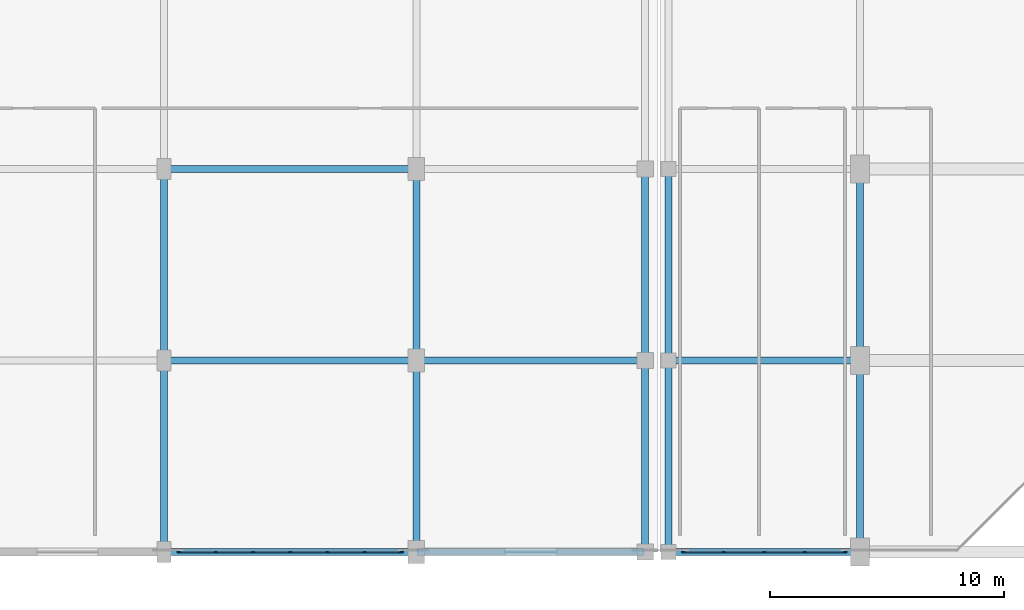
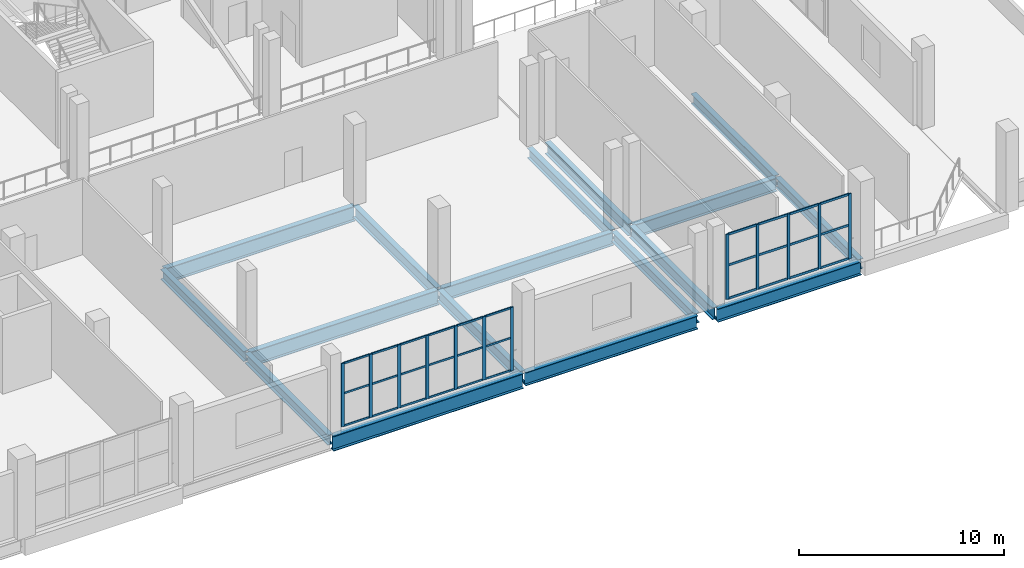
# One storey, part 47 of 142: 42 members, 17 beams, 2 elements without a shape of their own.
"""IFC4 building model written with IfcOpenShell, lengths in metres."""

from ifc_helpers import new_model, si_unit, direction, frame, origin, origin_2d, place, context, subcontext, project, spatial, rectangle, i_section, extrude, material, material_profile, profile_set, type_object, element, aggregate, save


model = new_model("IFC4")

# Units and contexts
model_context = context("Model", 3, precision=1e-05, world=origin(), true_north=direction((0.0, 1.0)))
body_context = subcontext(model_context, "Body", "Model", "MODEL_VIEW")
ifc_project = project(units=[si_unit("LENGTHUNIT", "METRE"), si_unit("AREAUNIT", "SQUARE_METRE"), si_unit("VOLUMEUNIT", "CUBIC_METRE"), si_unit("PLANEANGLEUNIT", "RADIAN"), si_unit("MASSUNIT", "GRAM", prefix="KILO")], contexts=[model_context])

# Site, building, storey
site_placement = place(None, origin())
site = spatial("IfcSite", under=ifc_project, at=site_placement, CompositionType="ELEMENT")
building_placement = place(site_placement, origin())
building = spatial("IfcBuilding", under=site, at=building_placement, Name="Koshinbarg Plaza Stadium", CompositionType="ELEMENT")
storey_placement = place(building_placement, frame((0.0, 0.0, 10.199951171875)))
storey = spatial("IfcBuildingStorey", under=building, at=storey_placement, Name="L02", CompositionType="ELEMENT", Elevation=10.199951171875)

# Beams
ifc_material_1 = material(Name="Steel S355", Category="steel")
ifc_material_profile_1 = material_profile(ifc_material_1, i_section(OverallWidth=0.300048828125, OverallDepth=0.60009765625, WebThickness=0.015380859375, FlangeThickness=0.030029296875, at=origin_2d()), Name="HEB 600")
ifc_profile_set_1 = profile_set([ifc_material_profile_1], Name="Steel S355")
beam_type_1 = type_object("IfcBeamType", Name="BM-SGIR-02", PredefinedType="USERDEFINED", material=ifc_profile_set_1)
beam_1_placement = place(storey_placement, frame((197.800048828125, 0.06005859375, -0.599853515625), z_axis=(0.0, 1.0, 0.0), x_axis=(-1.0, 0.0, 0.0)))
element("IfcBeam", 1, at=beam_1_placement, inside=storey, type_object=beam_type_1, Name="L02 Y girder 19/A-B", ObjectType="GIRDER", PredefinedType="USERDEFINED", context=body_context, shape_type="SweptSolid", body=[
    extrude(i_section(OverallWidth=0.300048828125, OverallDepth=0.60009765625, WebThickness=0.015380859375, FlangeThickness=0.030029296875, at=origin_2d()), origin(), (0.0, 0.0, 1.0), 8.079833984375),
])
beam_2_placement = place(storey_placement, frame((197.800048828125, 8.260009765625, -0.599853515625), z_axis=(0.0, 1.0, 0.0), x_axis=(-1.0, 0.0, 0.0)))
element("IfcBeam", 2, at=beam_2_placement, inside=storey, type_object=beam_type_1, Name="L02 Y girder 19/B-C", ObjectType="GIRDER", PredefinedType="USERDEFINED", context=body_context, shape_type="SweptSolid", body=[
    extrude(i_section(OverallWidth=0.300048828125, OverallDepth=0.60009765625, WebThickness=0.015380859375, FlangeThickness=0.030029296875, at=origin_2d()), origin(), (0.0, 0.0, 1.0), 8.080078125),
])
beam_3_placement = place(storey_placement, frame((218.39990234375, 0.06005859375, -0.599853515625), z_axis=(0.0, 1.0, 0.0), x_axis=(-1.0, 0.0, 0.0)))
element("IfcBeam", 3, at=beam_3_placement, inside=storey, type_object=beam_type_1, Name="L02 Y girder 21/A-B", ObjectType="GIRDER", PredefinedType="USERDEFINED", context=body_context, shape_type="SweptSolid", body=[
    extrude(i_section(OverallWidth=0.300048828125, OverallDepth=0.60009765625, WebThickness=0.015380859375, FlangeThickness=0.030029296875, at=origin_2d()), origin(), (0.0, 0.0, 1.0), 8.079833984375),
])
beam_4_placement = place(storey_placement, frame((218.39990234375, 8.260009765625, -0.599853515625), z_axis=(0.0, 1.0, 0.0), x_axis=(-1.0, 0.0, 0.0)))
element("IfcBeam", 4, at=beam_4_placement, inside=storey, type_object=beam_type_1, Name="L02 Y girder 21/B-C", ObjectType="GIRDER", PredefinedType="USERDEFINED", context=body_context, shape_type="SweptSolid", body=[
    extrude(i_section(OverallWidth=0.300048828125, OverallDepth=0.60009765625, WebThickness=0.015380859375, FlangeThickness=0.030029296875, at=origin_2d()), origin(), (0.0, 0.0, 1.0), 8.080078125),
])
beam_5_placement = place(storey_placement, frame((227.60009765625, 0.06005859375, -0.599853515625), z_axis=(0.0, 1.0, 0.0), x_axis=(-1.0, 0.0, 0.0)))
element("IfcBeam", 5, at=beam_5_placement, inside=storey, type_object=beam_type_1, Name="L02 Y girder 23/A-B", ObjectType="GIRDER", PredefinedType="USERDEFINED", context=body_context, shape_type="SweptSolid", body=[
    extrude(i_section(OverallWidth=0.300048828125, OverallDepth=0.60009765625, WebThickness=0.015380859375, FlangeThickness=0.030029296875, at=origin_2d()), origin(), (0.0, 0.0, 1.0), 8.079833984375),
])
beam_6_placement = place(storey_placement, frame((227.60009765625, 8.260009765625, -0.599853515625), z_axis=(0.0, 1.0, 0.0), x_axis=(-1.0, 0.0, 0.0)))
element("IfcBeam", 6, at=beam_6_placement, inside=storey, type_object=beam_type_1, Name="L02 Y girder 23/B-C", ObjectType="GIRDER", PredefinedType="USERDEFINED", context=body_context, shape_type="SweptSolid", body=[
    extrude(i_section(OverallWidth=0.300048828125, OverallDepth=0.60009765625, WebThickness=0.015380859375, FlangeThickness=0.030029296875, at=origin_2d()), origin(), (0.0, 0.0, 1.0), 8.080078125),
])
ifc_material_profile_2 = material_profile(ifc_material_1, i_section(OverallWidth=0.300048828125, OverallDepth=0.699951171875, WebThickness=0.01708984375, FlangeThickness=0.031982421875, at=origin_2d()), Name="HEB 700")
ifc_profile_set_2 = profile_set([ifc_material_profile_2], Name="Steel S355")
beam_type_2 = type_object("IfcBeamType", Name="BM-SGIR-03", PredefinedType="USERDEFINED", material=ifc_profile_set_2)
beam_7_placement = place(storey_placement, frame((208.60009765625, 0.06005859375, -0.64990234375), z_axis=(0.0, 1.0, 0.0), x_axis=(-1.0, 0.0, 0.0)))
element("IfcBeam", 7, at=beam_7_placement, inside=storey, type_object=beam_type_2, Name="L02 Y girder 20/A-B", ObjectType="GIRDER", PredefinedType="USERDEFINED", context=body_context, shape_type="SweptSolid", body=[
    extrude(i_section(OverallWidth=0.300048828125, OverallDepth=0.699951171875, WebThickness=0.01708984375, FlangeThickness=0.031982421875, at=origin_2d()), origin(), (0.0, 0.0, 1.0), 8.079833984375),
])
beam_8_placement = place(storey_placement, frame((208.60009765625, 8.260009765625, -0.64990234375), z_axis=(0.0, 1.0, 0.0), x_axis=(-1.0, 0.0, 0.0)))
element("IfcBeam", 8, at=beam_8_placement, inside=storey, type_object=beam_type_2, Name="L02 Y girder 20/B-C", ObjectType="GIRDER", PredefinedType="USERDEFINED", context=body_context, shape_type="SweptSolid", body=[
    extrude(i_section(OverallWidth=0.300048828125, OverallDepth=0.699951171875, WebThickness=0.01708984375, FlangeThickness=0.031982421875, at=origin_2d()), origin(), (0.0, 0.0, 1.0), 8.080078125),
])
beam_9_placement = place(storey_placement, frame((219.39990234375, 0.06005859375, -0.64990234375), z_axis=(0.0, 1.0, 0.0), x_axis=(-1.0, 0.0, 0.0)))
element("IfcBeam", 9, at=beam_9_placement, inside=storey, type_object=beam_type_2, Name="L02 Y girder 22/A-B", ObjectType="GIRDER", PredefinedType="USERDEFINED", context=body_context, shape_type="SweptSolid", body=[
    extrude(i_section(OverallWidth=0.300048828125, OverallDepth=0.699951171875, WebThickness=0.01708984375, FlangeThickness=0.031982421875, at=origin_2d()), origin(), (0.0, 0.0, 1.0), 8.079833984375),
])
beam_10_placement = place(storey_placement, frame((219.39990234375, 8.260009765625, -0.64990234375), z_axis=(0.0, 1.0, 0.0), x_axis=(-1.0, 0.0, 0.0)))
element("IfcBeam", 10, at=beam_10_placement, inside=storey, type_object=beam_type_2, Name="L02 Y girder 22/B-C", ObjectType="GIRDER", PredefinedType="USERDEFINED", context=body_context, shape_type="SweptSolid", body=[
    extrude(i_section(OverallWidth=0.300048828125, OverallDepth=0.699951171875, WebThickness=0.01708984375, FlangeThickness=0.031982421875, at=origin_2d()), origin(), (0.0, 0.0, 1.0), 8.080078125),
])
ifc_material_profile_3 = material_profile(ifc_material_1, i_section(OverallWidth=0.300048828125, OverallDepth=0.800048828125, WebThickness=0.017578125, FlangeThickness=0.032958984375, at=origin_2d()), Name="HEB 800")
ifc_profile_set_3 = profile_set([ifc_material_profile_3], Name="Steel S355")
beam_type_3 = type_object("IfcBeamType", Name="BM-SGIR-04", PredefinedType="USERDEFINED", material=ifc_profile_set_3)
beam_11_placement = place(storey_placement, frame((208.659912109375, 0.0, -0.699951171875), z_axis=(1.0, 0.0, 0.0), x_axis=(0.0, 1.0, 0.0)))
element("IfcBeam", 11, at=beam_11_placement, inside=storey, type_object=beam_type_3, Name="L02 X girder A/20-21", ObjectType="GIRDER", PredefinedType="USERDEFINED", context=body_context, shape_type="SweptSolid", body=[
    extrude(i_section(OverallWidth=0.300048828125, OverallDepth=0.800048828125, WebThickness=0.017578125, FlangeThickness=0.032958984375, at=origin_2d()), origin(), (0.0, 0.0, 1.0), 9.68017578125),
])
beam_12_placement = place(storey_placement, frame((219.4599609375, 0.0, -0.699951171875), z_axis=(1.0, 0.0, 0.0), x_axis=(0.0, 1.0, 0.0)))
element("IfcBeam", 12, at=beam_12_placement, inside=storey, type_object=beam_type_3, Name="L02 X girder A/22-23", ObjectType="GIRDER", PredefinedType="USERDEFINED", context=body_context, shape_type="SweptSolid", body=[
    extrude(i_section(OverallWidth=0.300048828125, OverallDepth=0.800048828125, WebThickness=0.017578125, FlangeThickness=0.032958984375, at=origin_2d()), origin(), (0.0, 0.0, 1.0), 8.080078125),
])
beam_13_placement = place(storey_placement, frame((208.659912109375, 8.199951171875, -0.699951171875), z_axis=(1.0, 0.0, 0.0), x_axis=(0.0, 1.0, 0.0)))
element("IfcBeam", 13, at=beam_13_placement, inside=storey, type_object=beam_type_3, Name="L02 X girder B/20-21", ObjectType="GIRDER", PredefinedType="USERDEFINED", context=body_context, shape_type="SweptSolid", body=[
    extrude(i_section(OverallWidth=0.300048828125, OverallDepth=0.800048828125, WebThickness=0.017578125, FlangeThickness=0.032958984375, at=origin_2d()), origin(), (0.0, 0.0, 1.0), 9.68017578125),
])
beam_14_placement = place(storey_placement, frame((219.4599609375, 8.199951171875, -0.699951171875), z_axis=(1.0, 0.0, 0.0), x_axis=(0.0, 1.0, 0.0)))
element("IfcBeam", 14, at=beam_14_placement, inside=storey, type_object=beam_type_3, Name="L02 X girder B/22-23", ObjectType="GIRDER", PredefinedType="USERDEFINED", context=body_context, shape_type="SweptSolid", body=[
    extrude(i_section(OverallWidth=0.300048828125, OverallDepth=0.800048828125, WebThickness=0.017578125, FlangeThickness=0.032958984375, at=origin_2d()), origin(), (0.0, 0.0, 1.0), 8.080078125),
])
ifc_material_profile_4 = material_profile(ifc_material_1, i_section(OverallWidth=0.300048828125, OverallDepth=0.89990234375, WebThickness=0.0185546875, FlangeThickness=0.034912109375, at=origin_2d()), Name="HEB 900")
ifc_profile_set_4 = profile_set([ifc_material_profile_4], Name="Steel S355")
beam_type_4 = type_object("IfcBeamType", Name="BM-SGIR-05", PredefinedType="USERDEFINED", material=ifc_profile_set_4)
for number, where, z_axis, x_axis, name in (
    (15, (197.860107421875, 0.0, -0.75), (1.0, 0.0, 0.0), (0.0, 1.0, 0.0), "L02 X girder A/19-20"),
    (16, (197.860107421875, 8.199951171875, -0.75), (1.0, 0.0, 0.0), (0.0, 1.0, 0.0), "L02 X girder B/19-20"),
    (17, (197.860107421875, 16.39990234375, -0.75), (1.0, 0.0, 0.0), (0.0, 1.0, 0.0), "L02 X girder C/19-20"),
):
    element("IfcBeam", number, at=place(storey_placement, frame(where, z_axis=z_axis, x_axis=x_axis)), inside=storey, type_object=beam_type_4, Name=name, ObjectType="GIRDER", PredefinedType="USERDEFINED", context=body_context, shape_type="SweptSolid", body=[
        extrude(i_section(OverallWidth=0.300048828125, OverallDepth=0.89990234375, WebThickness=0.0185546875, FlangeThickness=0.034912109375, at=origin_2d()), origin(), (0.0, 0.0, 1.0), 10.679931640625),
    ])

# Curtain wall, members
ifc_material_2 = material(Name="Thermally broken anodised aluminium and low-E double glazing", Category="aluminium")
curtain_wall_type_1 = type_object("IfcCurtainWallType", Name="CW-SYS-14", PredefinedType="NOTDEFINED", material=ifc_material_2)
curtain_wall_1_placement = place(storey_placement, origin())
curtain_wall_1 = element("IfcCurtainWall", 18, at=curtain_wall_1_placement, inside=storey, type_object=curtain_wall_type_1, Name="L02 unitised curtain wall CW-L02-061", PredefinedType="NOTDEFINED")
ifc_material_3 = material(Name="Anodised aluminium mullion", Category="aluminium")
ifc_material_profile_5 = material_profile(ifc_material_3, rectangle(XDim=0.06005859375, YDim=0.159912109375, at=origin_2d()), Name="ALU 60x160")
ifc_profile_set_5 = profile_set([ifc_material_profile_5], Name="Anodised aluminium mullion")
member_type_1 = type_object("IfcMemberType", Name="CW-MUL-02", PredefinedType="MULLION", material=ifc_profile_set_5)
member_1_placement = place(storey_placement, frame((226.949951171875, 0.0, 0.0), z_axis=(0.0, 0.0, 1.0), x_axis=(0.0, -1.0, 0.0)))
member_1 = element("IfcMember", 19, at=member_1_placement, type_object=member_type_1, Name="CW14 mullion 1", PredefinedType="MULLION", context=body_context, shape_type="SweptSolid", body=[
    extrude(rectangle(XDim=0.06005859375, YDim=0.159912109375, at=origin_2d()), origin(), (0.0, 0.0, 1.0), 3.860107421875),
])
member_2_placement = place(storey_placement, frame((225.239990234375, 0.0, 0.0), z_axis=(0.0, 0.0, 1.0), x_axis=(0.0, -1.0, 0.0)))
member_2 = element("IfcMember", 20, at=member_2_placement, type_object=member_type_1, Name="CW14 mullion 2", PredefinedType="MULLION", context=body_context, shape_type="SweptSolid", body=[
    extrude(rectangle(XDim=0.06005859375, YDim=0.159912109375, at=origin_2d()), origin(), (0.0, 0.0, 1.0), 3.860107421875),
])
member_3_placement = place(storey_placement, frame((223.5, 0.0, 0.0), z_axis=(0.0, 0.0, 1.0), x_axis=(0.0, -1.0, 0.0)))
member_3 = element("IfcMember", 21, at=member_3_placement, type_object=member_type_1, Name="CW14 mullion 3", PredefinedType="MULLION", context=body_context, shape_type="SweptSolid", body=[
    extrude(rectangle(XDim=0.06005859375, YDim=0.159912109375, at=origin_2d()), origin(), (0.0, 0.0, 1.0), 3.860107421875),
])
member_4_placement = place(storey_placement, frame((221.760009765625, 0.0, 0.0), z_axis=(0.0, 0.0, 1.0), x_axis=(0.0, -1.0, 0.0)))
member_4 = element("IfcMember", 22, at=member_4_placement, type_object=member_type_1, Name="CW14 mullion 4", PredefinedType="MULLION", context=body_context, shape_type="SweptSolid", body=[
    extrude(rectangle(XDim=0.06005859375, YDim=0.159912109375, at=origin_2d()), origin(), (0.0, 0.0, 1.0), 3.860107421875),
])
member_5_placement = place(storey_placement, frame((220.050048828125, 0.0, 0.0), z_axis=(0.0, 0.0, 1.0), x_axis=(0.0, -1.0, 0.0)))
member_5 = element("IfcMember", 23, at=member_5_placement, type_object=member_type_1, Name="CW14 mullion 5", PredefinedType="MULLION", context=body_context, shape_type="SweptSolid", body=[
    extrude(rectangle(XDim=0.06005859375, YDim=0.159912109375, at=origin_2d()), origin(), (0.0, 0.0, 1.0), 3.860107421875),
])

curtain_wall_type_2 = type_object("IfcCurtainWallType", Name="CW-SYS-15", PredefinedType="NOTDEFINED", material=ifc_material_2)
curtain_wall_2_placement = place(storey_placement, origin())
curtain_wall_2 = element("IfcCurtainWall", 24, at=curtain_wall_2_placement, inside=storey, type_object=curtain_wall_type_2, Name="L02 unitised curtain wall CW-L02-062", PredefinedType="NOTDEFINED")
ifc_material_profile_6 = material_profile(ifc_material_3, rectangle(XDim=0.070068359375, YDim=0.179931640625, at=origin_2d()), Name="ALU 70x180")
ifc_profile_set_6 = profile_set([ifc_material_profile_6], Name="Anodised aluminium mullion")
member_type_2 = type_object("IfcMemberType", Name="CW-MUL-03", PredefinedType="MULLION", material=ifc_profile_set_6)
member_6_placement = place(storey_placement, frame((207.949951171875, 0.0, 0.0), z_axis=(0.0, 0.0, 1.0), x_axis=(0.0, -1.0, 0.0)))
member_6 = element("IfcMember", 25, at=member_6_placement, type_object=member_type_2, Name="CW15 mullion 1", PredefinedType="MULLION", context=body_context, shape_type="SweptSolid", body=[
    extrude(rectangle(XDim=0.070068359375, YDim=0.179931640625, at=origin_2d()), origin(), (0.0, 0.0, 1.0), 3.760009765625),
])
member_7_placement = place(storey_placement, frame((206.38671875, 0.0, 0.0), z_axis=(0.0, 0.0, 1.0), x_axis=(0.0, -1.0, 0.0)))
member_7 = element("IfcMember", 26, at=member_7_placement, type_object=member_type_2, Name="CW15 mullion 2", PredefinedType="MULLION", context=body_context, shape_type="SweptSolid", body=[
    extrude(rectangle(XDim=0.070068359375, YDim=0.179931640625, at=origin_2d()), origin(), (0.0, 0.0, 1.0), 3.760009765625),
])
member_8_placement = place(storey_placement, frame((204.793212890625, 0.0, 0.0), z_axis=(0.0, 0.0, 1.0), x_axis=(0.0, -1.0, 0.0)))
member_8 = element("IfcMember", 27, at=member_8_placement, type_object=member_type_2, Name="CW15 mullion 3", PredefinedType="MULLION", context=body_context, shape_type="SweptSolid", body=[
    extrude(rectangle(XDim=0.070068359375, YDim=0.179931640625, at=origin_2d()), origin(), (0.0, 0.0, 1.0), 3.760009765625),
])
member_9_placement = place(storey_placement, frame((203.199951171875, 0.0, 0.0), z_axis=(0.0, 0.0, 1.0), x_axis=(0.0, -1.0, 0.0)))
member_9 = element("IfcMember", 28, at=member_9_placement, type_object=member_type_2, Name="CW15 mullion 4", PredefinedType="MULLION", context=body_context, shape_type="SweptSolid", body=[
    extrude(rectangle(XDim=0.070068359375, YDim=0.179931640625, at=origin_2d()), origin(), (0.0, 0.0, 1.0), 3.760009765625),
])
member_10_placement = place(storey_placement, frame((201.606689453125, 0.0, 0.0), z_axis=(0.0, 0.0, 1.0), x_axis=(0.0, -1.0, 0.0)))
member_10 = element("IfcMember", 29, at=member_10_placement, type_object=member_type_2, Name="CW15 mullion 5", PredefinedType="MULLION", context=body_context, shape_type="SweptSolid", body=[
    extrude(rectangle(XDim=0.070068359375, YDim=0.179931640625, at=origin_2d()), origin(), (0.0, 0.0, 1.0), 3.760009765625),
])
member_11_placement = place(storey_placement, frame((200.013427734375, 0.0, 0.0), z_axis=(0.0, 0.0, 1.0), x_axis=(0.0, -1.0, 0.0)))
member_11 = element("IfcMember", 30, at=member_11_placement, type_object=member_type_2, Name="CW15 mullion 6", PredefinedType="MULLION", context=body_context, shape_type="SweptSolid", body=[
    extrude(rectangle(XDim=0.070068359375, YDim=0.179931640625, at=origin_2d()), origin(), (0.0, 0.0, 1.0), 3.760009765625),
])
member_12_placement = place(storey_placement, frame((198.449951171875, 0.0, 0.0), z_axis=(0.0, 0.0, 1.0), x_axis=(0.0, -1.0, 0.0)))
member_12 = element("IfcMember", 31, at=member_12_placement, type_object=member_type_2, Name="CW15 mullion 7", PredefinedType="MULLION", context=body_context, shape_type="SweptSolid", body=[
    extrude(rectangle(XDim=0.070068359375, YDim=0.179931640625, at=origin_2d()), origin(), (0.0, 0.0, 1.0), 3.760009765625),
])
ifc_material_4 = material(Name="Anodised aluminium transom", Category="aluminium")
ifc_material_profile_7 = material_profile(ifc_material_4, rectangle(XDim=0.06005859375, YDim=0.110107421875, at=origin_2d()), Name="ALU 60x110")
ifc_profile_set_7 = profile_set([ifc_material_profile_7], Name="Anodised aluminium transom")
member_type_3 = type_object("IfcMemberType", Name="CW-TRN-01", PredefinedType="USERDEFINED", material=ifc_profile_set_7)
member_13_placement = place(storey_placement, frame((207.919921875, 0.0, 0.030029296875), z_axis=(-1.0, 0.0, 0.0), x_axis=(0.0, -1.0, 0.0)))
member_13 = element("IfcMember", 32, at=member_13_placement, type_object=member_type_3, Name="CW15 transom 1.1", ObjectType="TRANSOM", PredefinedType="USERDEFINED", context=body_context, shape_type="SweptSolid", body=[
    extrude(rectangle(XDim=0.06005859375, YDim=0.110107421875, at=origin_2d()), origin(), (0.0, 0.0, 1.0), 1.503173828125),
])
member_14_placement = place(storey_placement, frame((207.919921875, 0.0, 1.955322265625), z_axis=(-1.0, 0.0, 0.0), x_axis=(0.0, -1.0, 0.0)))
member_14 = element("IfcMember", 33, at=member_14_placement, type_object=member_type_3, Name="CW15 transom 1.2", ObjectType="TRANSOM", PredefinedType="USERDEFINED", context=body_context, shape_type="SweptSolid", body=[
    extrude(rectangle(XDim=0.06005859375, YDim=0.110107421875, at=origin_2d()), origin(), (0.0, 0.0, 1.0), 1.503173828125),
])
member_15_placement = place(storey_placement, frame((207.919921875, 0.0, 3.72998046875), z_axis=(-1.0, 0.0, 0.0), x_axis=(0.0, -1.0, 0.0)))
member_15 = element("IfcMember", 34, at=member_15_placement, type_object=member_type_3, Name="CW15 transom 1.3", ObjectType="TRANSOM", PredefinedType="USERDEFINED", context=body_context, shape_type="SweptSolid", body=[
    extrude(rectangle(XDim=0.06005859375, YDim=0.110107421875, at=origin_2d()), origin(), (0.0, 0.0, 1.0), 1.503173828125),
])
member_16_placement = place(storey_placement, frame((206.356689453125, 0.0, 0.030029296875), z_axis=(-1.0, 0.0, 0.0), x_axis=(0.0, -1.0, 0.0)))
member_16 = element("IfcMember", 35, at=member_16_placement, type_object=member_type_3, Name="CW15 transom 2.1", ObjectType="TRANSOM", PredefinedType="USERDEFINED", context=body_context, shape_type="SweptSolid", body=[
    extrude(rectangle(XDim=0.06005859375, YDim=0.110107421875, at=origin_2d()), origin(), (0.0, 0.0, 1.0), 1.533447265625),
])
member_17_placement = place(storey_placement, frame((206.356689453125, 0.0, 1.955322265625), z_axis=(-1.0, 0.0, 0.0), x_axis=(0.0, -1.0, 0.0)))
member_17 = element("IfcMember", 36, at=member_17_placement, type_object=member_type_3, Name="CW15 transom 2.2", ObjectType="TRANSOM", PredefinedType="USERDEFINED", context=body_context, shape_type="SweptSolid", body=[
    extrude(rectangle(XDim=0.06005859375, YDim=0.110107421875, at=origin_2d()), origin(), (0.0, 0.0, 1.0), 1.533447265625),
])
member_18_placement = place(storey_placement, frame((206.356689453125, 0.0, 3.72998046875), z_axis=(-1.0, 0.0, 0.0), x_axis=(0.0, -1.0, 0.0)))
member_18 = element("IfcMember", 37, at=member_18_placement, type_object=member_type_3, Name="CW15 transom 2.3", ObjectType="TRANSOM", PredefinedType="USERDEFINED", context=body_context, shape_type="SweptSolid", body=[
    extrude(rectangle(XDim=0.06005859375, YDim=0.110107421875, at=origin_2d()), origin(), (0.0, 0.0, 1.0), 1.533447265625),
])
member_19_placement = place(storey_placement, frame((204.763427734375, 0.0, 0.030029296875), z_axis=(-1.0, 0.0, 0.0), x_axis=(0.0, -1.0, 0.0)))
member_19 = element("IfcMember", 38, at=member_19_placement, type_object=member_type_3, Name="CW15 transom 3.1", ObjectType="TRANSOM", PredefinedType="USERDEFINED", context=body_context, shape_type="SweptSolid", body=[
    extrude(rectangle(XDim=0.06005859375, YDim=0.110107421875, at=origin_2d()), origin(), (0.0, 0.0, 1.0), 1.533447265625),
])
member_20_placement = place(storey_placement, frame((204.763427734375, 0.0, 1.955322265625), z_axis=(-1.0, 0.0, 0.0), x_axis=(0.0, -1.0, 0.0)))
member_20 = element("IfcMember", 39, at=member_20_placement, type_object=member_type_3, Name="CW15 transom 3.2", ObjectType="TRANSOM", PredefinedType="USERDEFINED", context=body_context, shape_type="SweptSolid", body=[
    extrude(rectangle(XDim=0.06005859375, YDim=0.110107421875, at=origin_2d()), origin(), (0.0, 0.0, 1.0), 1.533447265625),
])
member_21_placement = place(storey_placement, frame((204.763427734375, 0.0, 3.72998046875), z_axis=(-1.0, 0.0, 0.0), x_axis=(0.0, -1.0, 0.0)))
member_21 = element("IfcMember", 40, at=member_21_placement, type_object=member_type_3, Name="CW15 transom 3.3", ObjectType="TRANSOM", PredefinedType="USERDEFINED", context=body_context, shape_type="SweptSolid", body=[
    extrude(rectangle(XDim=0.06005859375, YDim=0.110107421875, at=origin_2d()), origin(), (0.0, 0.0, 1.0), 1.533447265625),
])
member_22_placement = place(storey_placement, frame((203.169921875, 0.0, 0.030029296875), z_axis=(-1.0, 0.0, 0.0), x_axis=(0.0, -1.0, 0.0)))
member_22 = element("IfcMember", 41, at=member_22_placement, type_object=member_type_3, Name="CW15 transom 4.1", ObjectType="TRANSOM", PredefinedType="USERDEFINED", context=body_context, shape_type="SweptSolid", body=[
    extrude(rectangle(XDim=0.06005859375, YDim=0.110107421875, at=origin_2d()), origin(), (0.0, 0.0, 1.0), 1.533203125),
])
member_23_placement = place(storey_placement, frame((203.169921875, 0.0, 1.955322265625), z_axis=(-1.0, 0.0, 0.0), x_axis=(0.0, -1.0, 0.0)))
member_23 = element("IfcMember", 42, at=member_23_placement, type_object=member_type_3, Name="CW15 transom 4.2", ObjectType="TRANSOM", PredefinedType="USERDEFINED", context=body_context, shape_type="SweptSolid", body=[
    extrude(rectangle(XDim=0.06005859375, YDim=0.110107421875, at=origin_2d()), origin(), (0.0, 0.0, 1.0), 1.533203125),
])
member_24_placement = place(storey_placement, frame((203.169921875, 0.0, 3.72998046875), z_axis=(-1.0, 0.0, 0.0), x_axis=(0.0, -1.0, 0.0)))
member_24 = element("IfcMember", 43, at=member_24_placement, type_object=member_type_3, Name="CW15 transom 4.3", ObjectType="TRANSOM", PredefinedType="USERDEFINED", context=body_context, shape_type="SweptSolid", body=[
    extrude(rectangle(XDim=0.06005859375, YDim=0.110107421875, at=origin_2d()), origin(), (0.0, 0.0, 1.0), 1.533203125),
])
member_25_placement = place(storey_placement, frame((201.57666015625, 0.0, 0.030029296875), z_axis=(-1.0, 0.0, 0.0), x_axis=(0.0, -1.0, 0.0)))
member_25 = element("IfcMember", 44, at=member_25_placement, type_object=member_type_3, Name="CW15 transom 5.1", ObjectType="TRANSOM", PredefinedType="USERDEFINED", context=body_context, shape_type="SweptSolid", body=[
    extrude(rectangle(XDim=0.06005859375, YDim=0.110107421875, at=origin_2d()), origin(), (0.0, 0.0, 1.0), 1.533447265625),
])
member_26_placement = place(storey_placement, frame((201.57666015625, 0.0, 1.955322265625), z_axis=(-1.0, 0.0, 0.0), x_axis=(0.0, -1.0, 0.0)))
member_26 = element("IfcMember", 45, at=member_26_placement, type_object=member_type_3, Name="CW15 transom 5.2", ObjectType="TRANSOM", PredefinedType="USERDEFINED", context=body_context, shape_type="SweptSolid", body=[
    extrude(rectangle(XDim=0.06005859375, YDim=0.110107421875, at=origin_2d()), origin(), (0.0, 0.0, 1.0), 1.533447265625),
])
member_27_placement = place(storey_placement, frame((201.57666015625, 0.0, 3.72998046875), z_axis=(-1.0, 0.0, 0.0), x_axis=(0.0, -1.0, 0.0)))
member_27 = element("IfcMember", 46, at=member_27_placement, type_object=member_type_3, Name="CW15 transom 5.3", ObjectType="TRANSOM", PredefinedType="USERDEFINED", context=body_context, shape_type="SweptSolid", body=[
    extrude(rectangle(XDim=0.06005859375, YDim=0.110107421875, at=origin_2d()), origin(), (0.0, 0.0, 1.0), 1.533447265625),
])
member_28_placement = place(storey_placement, frame((199.9833984375, 0.0, 0.030029296875), z_axis=(-1.0, 0.0, 0.0), x_axis=(0.0, -1.0, 0.0)))
member_28 = element("IfcMember", 47, at=member_28_placement, type_object=member_type_3, Name="CW15 transom 6.1", ObjectType="TRANSOM", PredefinedType="USERDEFINED", context=body_context, shape_type="SweptSolid", body=[
    extrude(rectangle(XDim=0.06005859375, YDim=0.110107421875, at=origin_2d()), origin(), (0.0, 0.0, 1.0), 1.50341796875),
])
member_29_placement = place(storey_placement, frame((199.9833984375, 0.0, 1.955322265625), z_axis=(-1.0, 0.0, 0.0), x_axis=(0.0, -1.0, 0.0)))
member_29 = element("IfcMember", 48, at=member_29_placement, type_object=member_type_3, Name="CW15 transom 6.2", ObjectType="TRANSOM", PredefinedType="USERDEFINED", context=body_context, shape_type="SweptSolid", body=[
    extrude(rectangle(XDim=0.06005859375, YDim=0.110107421875, at=origin_2d()), origin(), (0.0, 0.0, 1.0), 1.50341796875),
])
member_30_placement = place(storey_placement, frame((199.9833984375, 0.0, 3.72998046875), z_axis=(-1.0, 0.0, 0.0), x_axis=(0.0, -1.0, 0.0)))
member_30 = element("IfcMember", 49, at=member_30_placement, type_object=member_type_3, Name="CW15 transom 6.3", ObjectType="TRANSOM", PredefinedType="USERDEFINED", context=body_context, shape_type="SweptSolid", body=[
    extrude(rectangle(XDim=0.06005859375, YDim=0.110107421875, at=origin_2d()), origin(), (0.0, 0.0, 1.0), 1.50341796875),
])
aggregate(curtain_wall_2, [member_6, member_7, member_8, member_9, member_10, member_11, member_12, member_13, member_14, member_15, member_16, member_17, member_18, member_19, member_20, member_21, member_22, member_23, member_24, member_25, member_26, member_27, member_28, member_29, member_30])

# Member
ifc_material_profile_8 = material_profile(ifc_material_4, rectangle(XDim=0.06005859375, YDim=0.1298828125, at=origin_2d()), Name="ALU 60x130")
ifc_profile_set_8 = profile_set([ifc_material_profile_8], Name="Anodised aluminium transom")
member_type_4 = type_object("IfcMemberType", Name="CW-TRN-02", PredefinedType="USERDEFINED", material=ifc_profile_set_8)
member_31_placement = place(storey_placement, frame((226.919921875, 0.0, 0.030029296875), z_axis=(-1.0, 0.0, 0.0), x_axis=(0.0, -1.0, 0.0)))
member_31 = element("IfcMember", 50, at=member_31_placement, type_object=member_type_4, Name="CW14 transom 1.1", ObjectType="TRANSOM", PredefinedType="USERDEFINED", context=body_context, shape_type="SweptSolid", body=[
    extrude(rectangle(XDim=0.06005859375, YDim=0.1298828125, at=origin_2d()), origin(), (0.0, 0.0, 1.0), 1.64990234375),
])

member_32_placement = place(storey_placement, frame((226.919921875, 0.0, 2.00732421875), z_axis=(-1.0, 0.0, 0.0), x_axis=(0.0, -1.0, 0.0)))
member_32 = element("IfcMember", 51, at=member_32_placement, type_object=member_type_4, Name="CW14 transom 1.2", ObjectType="TRANSOM", PredefinedType="USERDEFINED", context=body_context, shape_type="SweptSolid", body=[
    extrude(rectangle(XDim=0.06005859375, YDim=0.1298828125, at=origin_2d()), origin(), (0.0, 0.0, 1.0), 1.64990234375),
])

member_33_placement = place(storey_placement, frame((226.919921875, 0.0, 3.830078125), z_axis=(-1.0, 0.0, 0.0), x_axis=(0.0, -1.0, 0.0)))
member_33 = element("IfcMember", 52, at=member_33_placement, type_object=member_type_4, Name="CW14 transom 1.3", ObjectType="TRANSOM", PredefinedType="USERDEFINED", context=body_context, shape_type="SweptSolid", body=[
    extrude(rectangle(XDim=0.06005859375, YDim=0.1298828125, at=origin_2d()), origin(), (0.0, 0.0, 1.0), 1.64990234375),
])

member_34_placement = place(storey_placement, frame((225.2099609375, 0.0, 0.030029296875), z_axis=(-1.0, 0.0, 0.0), x_axis=(0.0, -1.0, 0.0)))
member_34 = element("IfcMember", 53, at=member_34_placement, type_object=member_type_4, Name="CW14 transom 2.1", ObjectType="TRANSOM", PredefinedType="USERDEFINED", context=body_context, shape_type="SweptSolid", body=[
    extrude(rectangle(XDim=0.06005859375, YDim=0.1298828125, at=origin_2d()), origin(), (0.0, 0.0, 1.0), 1.679931640625),
])

member_35_placement = place(storey_placement, frame((225.2099609375, 0.0, 2.00732421875), z_axis=(-1.0, 0.0, 0.0), x_axis=(0.0, -1.0, 0.0)))
member_35 = element("IfcMember", 54, at=member_35_placement, type_object=member_type_4, Name="CW14 transom 2.2", ObjectType="TRANSOM", PredefinedType="USERDEFINED", context=body_context, shape_type="SweptSolid", body=[
    extrude(rectangle(XDim=0.06005859375, YDim=0.1298828125, at=origin_2d()), origin(), (0.0, 0.0, 1.0), 1.679931640625),
])

member_36_placement = place(storey_placement, frame((225.2099609375, 0.0, 3.830078125), z_axis=(-1.0, 0.0, 0.0), x_axis=(0.0, -1.0, 0.0)))
member_36 = element("IfcMember", 55, at=member_36_placement, type_object=member_type_4, Name="CW14 transom 2.3", ObjectType="TRANSOM", PredefinedType="USERDEFINED", context=body_context, shape_type="SweptSolid", body=[
    extrude(rectangle(XDim=0.06005859375, YDim=0.1298828125, at=origin_2d()), origin(), (0.0, 0.0, 1.0), 1.679931640625),
])

member_37_placement = place(storey_placement, frame((223.469970703125, 0.0, 0.030029296875), z_axis=(-1.0, 0.0, 0.0), x_axis=(0.0, -1.0, 0.0)))
member_37 = element("IfcMember", 56, at=member_37_placement, type_object=member_type_4, Name="CW14 transom 3.1", ObjectType="TRANSOM", PredefinedType="USERDEFINED", context=body_context, shape_type="SweptSolid", body=[
    extrude(rectangle(XDim=0.06005859375, YDim=0.1298828125, at=origin_2d()), origin(), (0.0, 0.0, 1.0), 1.679931640625),
])

member_38_placement = place(storey_placement, frame((223.469970703125, 0.0, 2.00732421875), z_axis=(-1.0, 0.0, 0.0), x_axis=(0.0, -1.0, 0.0)))
member_38 = element("IfcMember", 57, at=member_38_placement, type_object=member_type_4, Name="CW14 transom 3.2", ObjectType="TRANSOM", PredefinedType="USERDEFINED", context=body_context, shape_type="SweptSolid", body=[
    extrude(rectangle(XDim=0.06005859375, YDim=0.1298828125, at=origin_2d()), origin(), (0.0, 0.0, 1.0), 1.679931640625),
])

member_39_placement = place(storey_placement, frame((223.469970703125, 0.0, 3.830078125), z_axis=(-1.0, 0.0, 0.0), x_axis=(0.0, -1.0, 0.0)))
member_39 = element("IfcMember", 58, at=member_39_placement, type_object=member_type_4, Name="CW14 transom 3.3", ObjectType="TRANSOM", PredefinedType="USERDEFINED", context=body_context, shape_type="SweptSolid", body=[
    extrude(rectangle(XDim=0.06005859375, YDim=0.1298828125, at=origin_2d()), origin(), (0.0, 0.0, 1.0), 1.679931640625),
])

member_40_placement = place(storey_placement, frame((221.72998046875, 0.0, 0.030029296875), z_axis=(-1.0, 0.0, 0.0), x_axis=(0.0, -1.0, 0.0)))
member_40 = element("IfcMember", 59, at=member_40_placement, type_object=member_type_4, Name="CW14 transom 4.1", ObjectType="TRANSOM", PredefinedType="USERDEFINED", context=body_context, shape_type="SweptSolid", body=[
    extrude(rectangle(XDim=0.06005859375, YDim=0.1298828125, at=origin_2d()), origin(), (0.0, 0.0, 1.0), 1.64990234375),
])

member_41_placement = place(storey_placement, frame((221.72998046875, 0.0, 2.00732421875), z_axis=(-1.0, 0.0, 0.0), x_axis=(0.0, -1.0, 0.0)))
member_41 = element("IfcMember", 60, at=member_41_placement, type_object=member_type_4, Name="CW14 transom 4.2", ObjectType="TRANSOM", PredefinedType="USERDEFINED", context=body_context, shape_type="SweptSolid", body=[
    extrude(rectangle(XDim=0.06005859375, YDim=0.1298828125, at=origin_2d()), origin(), (0.0, 0.0, 1.0), 1.64990234375),
])

member_42_placement = place(storey_placement, frame((221.72998046875, 0.0, 3.830078125), z_axis=(-1.0, 0.0, 0.0), x_axis=(0.0, -1.0, 0.0)))
member_42 = element("IfcMember", 61, at=member_42_placement, type_object=member_type_4, Name="CW14 transom 4.3", ObjectType="TRANSOM", PredefinedType="USERDEFINED", context=body_context, shape_type="SweptSolid", body=[
    extrude(rectangle(XDim=0.06005859375, YDim=0.1298828125, at=origin_2d()), origin(), (0.0, 0.0, 1.0), 1.64990234375),
])

aggregate(curtain_wall_1, [member_1, member_2, member_3, member_4, member_5, member_31, member_32, member_33, member_34, member_35, member_36, member_37, member_38, member_39, member_40, member_41, member_42])

save(model, "model.ifc")
